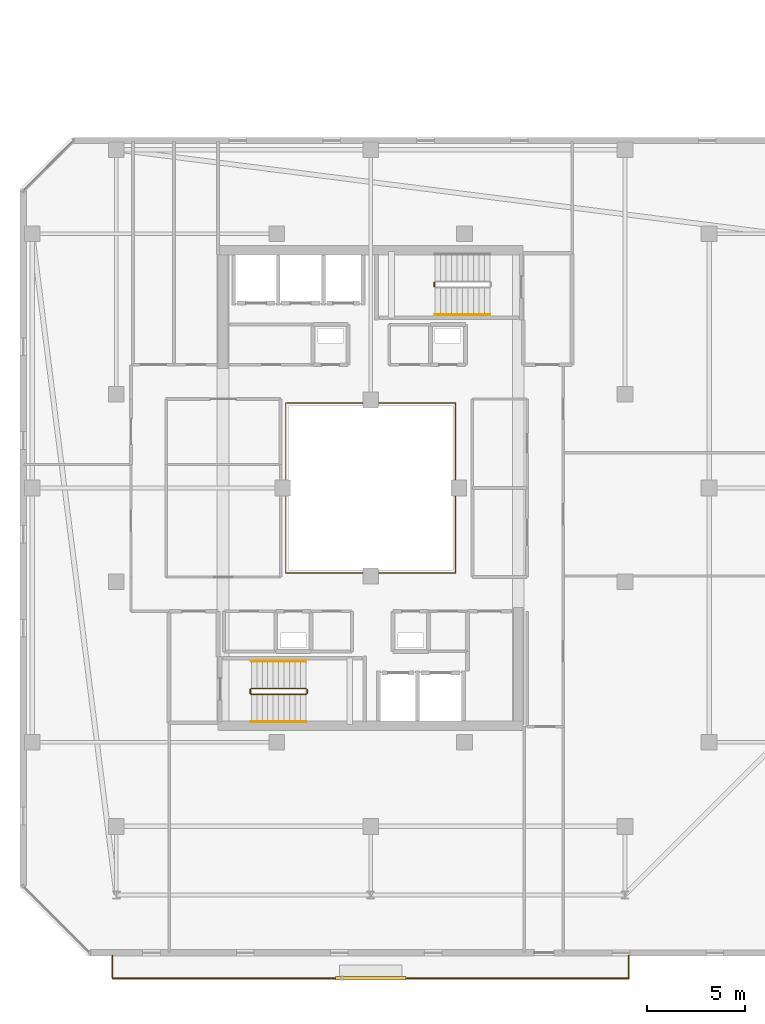
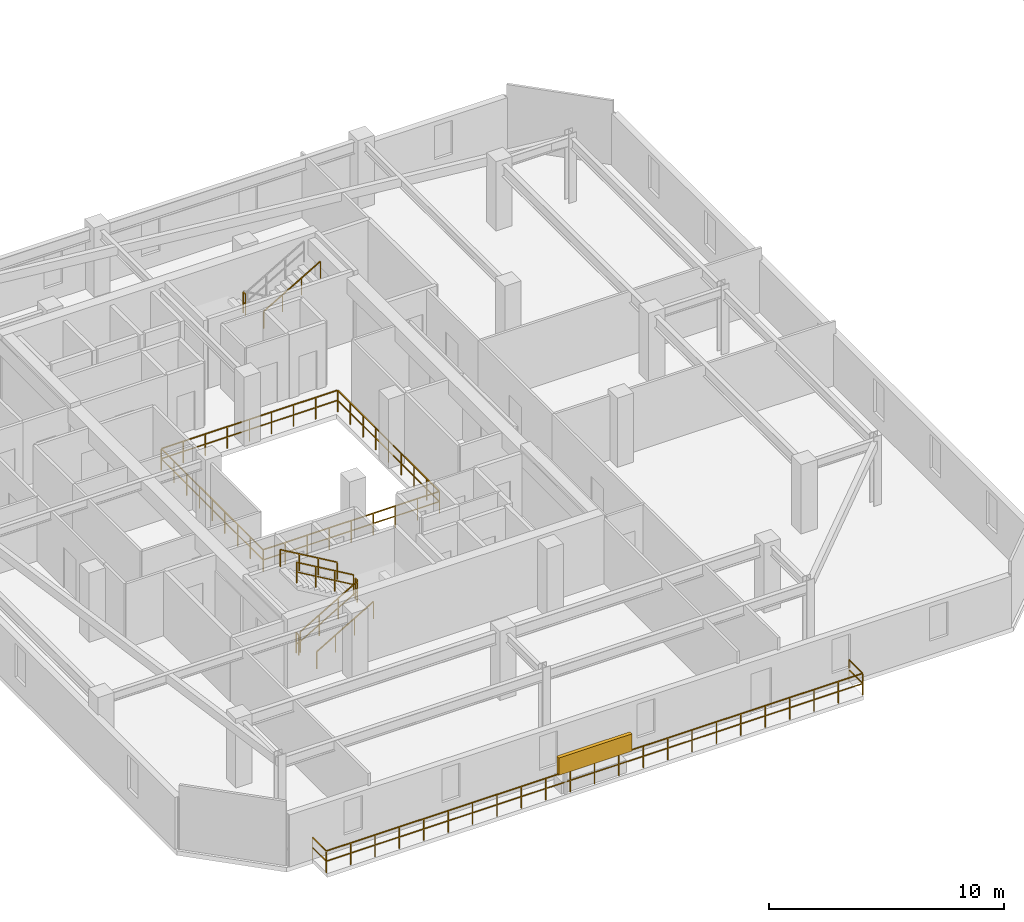
# One storey, part 32 of 35: 10 railings, 1 shading device.
"""IFC4 building model written with IfcOpenShell, lengths in metres."""

from ifc_helpers import new_model, si_unit, direction, frame, origin, origin_2d, place, context, subcontext, project, spatial, rectangle, extrude, material, type_object, element, save


model = new_model("IFC4")

# Units and contexts
model_context = context("Model", 3, precision=1e-05, world=origin(), true_north=direction((0.0, 1.0)))
body_context = subcontext(model_context, "Body", "Model", "MODEL_VIEW")
ifc_project = project(units=[si_unit("LENGTHUNIT", "METRE"), si_unit("AREAUNIT", "SQUARE_METRE"), si_unit("VOLUMEUNIT", "CUBIC_METRE"), si_unit("PLANEANGLEUNIT", "RADIAN"), si_unit("MASSUNIT", "GRAM", prefix="KILO")], contexts=[model_context])

# Site, building, storey
site_placement = place(None, origin())
site = spatial("IfcSite", under=ifc_project, at=site_placement, CompositionType="ELEMENT")
building_placement = place(site_placement, origin())
building = spatial("IfcBuilding", under=site, at=building_placement, Name="Thornwick Lancets Civic Towers", CompositionType="ELEMENT")
storey_placement = place(building_placement, frame((0.0, 0.0, 265.5)))
storey = spatial("IfcBuildingStorey", under=building, at=storey_placement, Name="L71", CompositionType="ELEMENT", Elevation=265.5)

# Railings
ifc_material_1 = material(Name="Laminated glass and bronze steel S355", Category="steel")
railing_type_1 = type_object("IfcRailingType", Name="RAIL_ATRIUM_GUARD", PredefinedType="BALUSTRADE", material=ifc_material_1)
railing_1_placement = place(storey_placement, frame((21.159912109375, 22.659912109375, 0.0)))
element("IfcRailing", 1, at=railing_1_placement, inside=storey, type_object=railing_type_1, Name="L71 Tower A Central Atrium Guard Balustrade", PredefinedType="BALUSTRADE", context=body_context, shape_type="SweptSolid", body=[
    extrude(rectangle(XDim=0.048095703125, YDim=0.048095703125, at=origin_2d()), frame((0.0, 0.0, 1.1259765625), z_axis=(1.0, 0.0, 0.0), x_axis=(0.0, 1.0, 0.0)), (0.0, 0.0, 1.0), 8.64892578125),
    extrude(rectangle(XDim=0.0419921875, YDim=0.0419921875, at=origin_2d()), frame((0.03759765625, 0.0, 0.597900390625), z_axis=(1.0, 0.0, 0.0), x_axis=(0.0, 1.0, 0.0)), (0.0, 0.0, 1.0), 1.010009765625),
    extrude(rectangle(XDim=0.0419921875, YDim=0.0419921875, at=origin_2d()), frame((1.12255859375, 0.0, 0.597900390625), z_axis=(1.0, 0.0, 0.0), x_axis=(0.0, 1.0, 0.0)), (0.0, 0.0, 1.0), 1.010009765625),
    extrude(rectangle(XDim=0.0419921875, YDim=0.0419921875, at=origin_2d()), frame((2.20751953125, 0.0, 0.597900390625), z_axis=(1.0, 0.0, 0.0), x_axis=(0.0, 1.0, 0.0)), (0.0, 0.0, 1.0), 1.010009765625),
    extrude(rectangle(XDim=0.0419921875, YDim=0.0419921875, at=origin_2d()), frame((3.29248046875, 0.0, 0.597900390625), z_axis=(1.0, 0.0, 0.0), x_axis=(0.0, 1.0, 0.0)), (0.0, 0.0, 1.0), 1.010009765625),
    extrude(rectangle(XDim=0.0419921875, YDim=0.0419921875, at=origin_2d()), frame((4.377685546875, 0.0, 0.597900390625), z_axis=(1.0, 0.0, 0.0), x_axis=(0.0, 1.0, 0.0)), (0.0, 0.0, 1.0), 1.010009765625),
    extrude(rectangle(XDim=0.0419921875, YDim=0.0419921875, at=origin_2d()), frame((5.462646484375, 0.0, 0.597900390625), z_axis=(1.0, 0.0, 0.0), x_axis=(0.0, 1.0, 0.0)), (0.0, 0.0, 1.0), 1.010009765625),
    extrude(rectangle(XDim=0.0419921875, YDim=0.0419921875, at=origin_2d()), frame((6.547607421875, 0.0, 0.597900390625), z_axis=(1.0, 0.0, 0.0), x_axis=(0.0, 1.0, 0.0)), (0.0, 0.0, 1.0), 1.010009765625),
    extrude(rectangle(XDim=0.0419921875, YDim=0.0419921875, at=origin_2d()), frame((7.632568359375, 0.0, 0.597900390625), z_axis=(1.0, 0.0, 0.0), x_axis=(0.0, 1.0, 0.0)), (0.0, 0.0, 1.0), 1.010009765625),
    extrude(rectangle(XDim=0.048095703125, YDim=0.048095703125, at=origin_2d()), frame((8.68017578125, 0.03125, 1.1259765625), z_axis=(0.0, 1.0, 0.0), x_axis=(-1.0, 0.0, 0.0)), (0.0, 0.0, 1.0), 8.61767578125),
    extrude(rectangle(XDim=0.0419921875, YDim=0.0419921875, at=origin_2d()), frame((8.68017578125, 0.03759765625, 0.597900390625), z_axis=(0.0, 1.0, 0.0), x_axis=(-1.0, 0.0, 0.0)), (0.0, 0.0, 1.0), 1.010009765625),
    extrude(rectangle(XDim=0.0419921875, YDim=0.0419921875, at=origin_2d()), frame((8.68017578125, 1.12255859375, 0.597900390625), z_axis=(0.0, 1.0, 0.0), x_axis=(-1.0, 0.0, 0.0)), (0.0, 0.0, 1.0), 1.010009765625),
    extrude(rectangle(XDim=0.0419921875, YDim=0.0419921875, at=origin_2d()), frame((8.68017578125, 2.20751953125, 0.597900390625), z_axis=(0.0, 1.0, 0.0), x_axis=(-1.0, 0.0, 0.0)), (0.0, 0.0, 1.0), 1.010009765625),
    extrude(rectangle(XDim=0.0419921875, YDim=0.0419921875, at=origin_2d()), frame((8.68017578125, 3.29248046875, 0.597900390625), z_axis=(0.0, 1.0, 0.0), x_axis=(-1.0, 0.0, 0.0)), (0.0, 0.0, 1.0), 1.010009765625),
    extrude(rectangle(XDim=0.0419921875, YDim=0.0419921875, at=origin_2d()), frame((8.68017578125, 4.377685546875, 0.597900390625), z_axis=(0.0, 1.0, 0.0), x_axis=(-1.0, 0.0, 0.0)), (0.0, 0.0, 1.0), 1.010009765625),
    extrude(rectangle(XDim=0.0419921875, YDim=0.0419921875, at=origin_2d()), frame((8.68017578125, 5.462646484375, 0.597900390625), z_axis=(0.0, 1.0, 0.0), x_axis=(-1.0, 0.0, 0.0)), (0.0, 0.0, 1.0), 1.010009765625),
    extrude(rectangle(XDim=0.0419921875, YDim=0.0419921875, at=origin_2d()), frame((8.68017578125, 6.547607421875, 0.597900390625), z_axis=(0.0, 1.0, 0.0), x_axis=(-1.0, 0.0, 0.0)), (0.0, 0.0, 1.0), 1.010009765625),
    extrude(rectangle(XDim=0.0419921875, YDim=0.0419921875, at=origin_2d()), frame((8.68017578125, 7.632568359375, 0.597900390625), z_axis=(0.0, 1.0, 0.0), x_axis=(-1.0, 0.0, 0.0)), (0.0, 0.0, 1.0), 1.010009765625),
    extrude(rectangle(XDim=0.048095703125, YDim=0.048095703125, at=origin_2d()), frame((8.64892578125, 8.68017578125, 1.1259765625), z_axis=(-1.0, 0.0, 0.0), x_axis=(0.0, -1.0, 0.0)), (0.0, 0.0, 1.0), 8.61767578125),
    extrude(rectangle(XDim=0.0419921875, YDim=0.0419921875, at=origin_2d()), frame((8.642578125, 8.68017578125, 0.597900390625), z_axis=(-1.0, 0.0, 0.0), x_axis=(0.0, -1.0, 0.0)), (0.0, 0.0, 1.0), 1.010009765625),
    extrude(rectangle(XDim=0.0419921875, YDim=0.0419921875, at=origin_2d()), frame((7.5576171875, 8.68017578125, 0.597900390625), z_axis=(-1.0, 0.0, 0.0), x_axis=(0.0, -1.0, 0.0)), (0.0, 0.0, 1.0), 1.010009765625),
    extrude(rectangle(XDim=0.0419921875, YDim=0.0419921875, at=origin_2d()), frame((6.47265625, 8.68017578125, 0.597900390625), z_axis=(-1.0, 0.0, 0.0), x_axis=(0.0, -1.0, 0.0)), (0.0, 0.0, 1.0), 1.010009765625),
    extrude(rectangle(XDim=0.0419921875, YDim=0.0419921875, at=origin_2d()), frame((5.3876953125, 8.68017578125, 0.597900390625), z_axis=(-1.0, 0.0, 0.0), x_axis=(0.0, -1.0, 0.0)), (0.0, 0.0, 1.0), 1.010009765625),
    extrude(rectangle(XDim=0.0419921875, YDim=0.0419921875, at=origin_2d()), frame((4.302490234375, 8.68017578125, 0.597900390625), z_axis=(-1.0, 0.0, 0.0), x_axis=(0.0, -1.0, 0.0)), (0.0, 0.0, 1.0), 1.010009765625),
    extrude(rectangle(XDim=0.0419921875, YDim=0.0419921875, at=origin_2d()), frame((3.217529296875, 8.68017578125, 0.597900390625), z_axis=(-1.0, 0.0, 0.0), x_axis=(0.0, -1.0, 0.0)), (0.0, 0.0, 1.0), 1.010009765625),
    extrude(rectangle(XDim=0.0419921875, YDim=0.0419921875, at=origin_2d()), frame((2.132568359375, 8.68017578125, 0.597900390625), z_axis=(-1.0, 0.0, 0.0), x_axis=(0.0, -1.0, 0.0)), (0.0, 0.0, 1.0), 1.010009765625),
    extrude(rectangle(XDim=0.0419921875, YDim=0.0419921875, at=origin_2d()), frame((1.047607421875, 8.68017578125, 0.597900390625), z_axis=(-1.0, 0.0, 0.0), x_axis=(0.0, -1.0, 0.0)), (0.0, 0.0, 1.0), 1.010009765625),
    extrude(rectangle(XDim=0.048095703125, YDim=0.048095703125, at=origin_2d()), frame((0.0, 8.64892578125, 1.1259765625), z_axis=(0.0, -1.0, 0.0), x_axis=(1.0, 0.0, 0.0)), (0.0, 0.0, 1.0), 8.64892578125),
    extrude(rectangle(XDim=0.0419921875, YDim=0.0419921875, at=origin_2d()), frame((0.0, 8.642578125, 0.597900390625), z_axis=(0.0, -1.0, 0.0), x_axis=(1.0, 0.0, 0.0)), (0.0, 0.0, 1.0), 1.010009765625),
    extrude(rectangle(XDim=0.0419921875, YDim=0.0419921875, at=origin_2d()), frame((0.0, 7.5576171875, 0.597900390625), z_axis=(0.0, -1.0, 0.0), x_axis=(1.0, 0.0, 0.0)), (0.0, 0.0, 1.0), 1.010009765625),
    extrude(rectangle(XDim=0.0419921875, YDim=0.0419921875, at=origin_2d()), frame((0.0, 6.47265625, 0.597900390625), z_axis=(0.0, -1.0, 0.0), x_axis=(1.0, 0.0, 0.0)), (0.0, 0.0, 1.0), 1.010009765625),
    extrude(rectangle(XDim=0.0419921875, YDim=0.0419921875, at=origin_2d()), frame((0.0, 5.3876953125, 0.597900390625), z_axis=(0.0, -1.0, 0.0), x_axis=(1.0, 0.0, 0.0)), (0.0, 0.0, 1.0), 1.010009765625),
    extrude(rectangle(XDim=0.0419921875, YDim=0.0419921875, at=origin_2d()), frame((0.0, 4.302490234375, 0.597900390625), z_axis=(0.0, -1.0, 0.0), x_axis=(1.0, 0.0, 0.0)), (0.0, 0.0, 1.0), 1.010009765625),
    extrude(rectangle(XDim=0.0419921875, YDim=0.0419921875, at=origin_2d()), frame((0.0, 3.217529296875, 0.597900390625), z_axis=(0.0, -1.0, 0.0), x_axis=(1.0, 0.0, 0.0)), (0.0, 0.0, 1.0), 1.010009765625),
    extrude(rectangle(XDim=0.0419921875, YDim=0.0419921875, at=origin_2d()), frame((0.0, 2.132568359375, 0.597900390625), z_axis=(0.0, -1.0, 0.0), x_axis=(1.0, 0.0, 0.0)), (0.0, 0.0, 1.0), 1.010009765625),
    extrude(rectangle(XDim=0.0419921875, YDim=0.0419921875, at=origin_2d()), frame((0.0, 1.047607421875, 0.597900390625), z_axis=(0.0, -1.0, 0.0), x_axis=(1.0, 0.0, 0.0)), (0.0, 0.0, 1.0), 1.010009765625),
    extrude(rectangle(XDim=0.0419921875, YDim=0.0419921875, at=origin_2d()), origin(), (0.0, 0.0, 1.0), 1.095703125),
    extrude(rectangle(XDim=0.0419921875, YDim=0.0419921875, at=origin_2d()), frame((1.0849609375, 0.0, 0.0)), (0.0, 0.0, 1.0), 1.095703125),
    extrude(rectangle(XDim=0.0419921875, YDim=0.0419921875, at=origin_2d()), frame((2.169921875, 0.0, 0.0)), (0.0, 0.0, 1.0), 1.095703125),
    extrude(rectangle(XDim=0.0419921875, YDim=0.0419921875, at=origin_2d()), frame((3.255126953125, 0.0, 0.0)), (0.0, 0.0, 1.0), 1.095703125),
    extrude(rectangle(XDim=0.0419921875, YDim=0.0419921875, at=origin_2d()), frame((4.340087890625, 0.0, 0.0)), (0.0, 0.0, 1.0), 1.095703125),
    extrude(rectangle(XDim=0.0419921875, YDim=0.0419921875, at=origin_2d()), frame((5.425048828125, 0.0, 0.0)), (0.0, 0.0, 1.0), 1.095703125),
    extrude(rectangle(XDim=0.0419921875, YDim=0.0419921875, at=origin_2d()), frame((6.51025390625, 0.0, 0.0)), (0.0, 0.0, 1.0), 1.095703125),
    extrude(rectangle(XDim=0.0419921875, YDim=0.0419921875, at=origin_2d()), frame((7.59521484375, 0.0, 0.0)), (0.0, 0.0, 1.0), 1.095703125),
    extrude(rectangle(XDim=0.0419921875, YDim=0.0419921875, at=origin_2d()), frame((8.68017578125, 0.0, 0.0)), (0.0, 0.0, 1.0), 1.095703125),
    extrude(rectangle(XDim=0.0419921875, YDim=0.0419921875, at=origin_2d()), frame((8.68017578125, 1.0849609375, 0.0)), (0.0, 0.0, 1.0), 1.095703125),
    extrude(rectangle(XDim=0.0419921875, YDim=0.0419921875, at=origin_2d()), frame((8.68017578125, 2.169921875, 0.0)), (0.0, 0.0, 1.0), 1.095703125),
    extrude(rectangle(XDim=0.0419921875, YDim=0.0419921875, at=origin_2d()), frame((8.68017578125, 3.255126953125, 0.0)), (0.0, 0.0, 1.0), 1.095703125),
    extrude(rectangle(XDim=0.0419921875, YDim=0.0419921875, at=origin_2d()), frame((8.68017578125, 4.340087890625, 0.0)), (0.0, 0.0, 1.0), 1.095703125),
    extrude(rectangle(XDim=0.0419921875, YDim=0.0419921875, at=origin_2d()), frame((8.68017578125, 5.425048828125, 0.0)), (0.0, 0.0, 1.0), 1.095703125),
    extrude(rectangle(XDim=0.0419921875, YDim=0.0419921875, at=origin_2d()), frame((8.68017578125, 6.51025390625, 0.0)), (0.0, 0.0, 1.0), 1.095703125),
    extrude(rectangle(XDim=0.0419921875, YDim=0.0419921875, at=origin_2d()), frame((8.68017578125, 7.59521484375, 0.0)), (0.0, 0.0, 1.0), 1.095703125),
    extrude(rectangle(XDim=0.0419921875, YDim=0.0419921875, at=origin_2d()), frame((8.68017578125, 8.68017578125, 0.0)), (0.0, 0.0, 1.0), 1.095703125),
    extrude(rectangle(XDim=0.0419921875, YDim=0.0419921875, at=origin_2d()), frame((7.59521484375, 8.68017578125, 0.0)), (0.0, 0.0, 1.0), 1.095703125),
    extrude(rectangle(XDim=0.0419921875, YDim=0.0419921875, at=origin_2d()), frame((6.51025390625, 8.68017578125, 0.0)), (0.0, 0.0, 1.0), 1.095703125),
    extrude(rectangle(XDim=0.0419921875, YDim=0.0419921875, at=origin_2d()), frame((5.425048828125, 8.68017578125, 0.0)), (0.0, 0.0, 1.0), 1.095703125),
    extrude(rectangle(XDim=0.0419921875, YDim=0.0419921875, at=origin_2d()), frame((4.340087890625, 8.68017578125, 0.0)), (0.0, 0.0, 1.0), 1.095703125),
    extrude(rectangle(XDim=0.0419921875, YDim=0.0419921875, at=origin_2d()), frame((3.255126953125, 8.68017578125, 0.0)), (0.0, 0.0, 1.0), 1.095703125),
    extrude(rectangle(XDim=0.0419921875, YDim=0.0419921875, at=origin_2d()), frame((2.169921875, 8.68017578125, 0.0)), (0.0, 0.0, 1.0), 1.095703125),
    extrude(rectangle(XDim=0.0419921875, YDim=0.0419921875, at=origin_2d()), frame((1.0849609375, 8.68017578125, 0.0)), (0.0, 0.0, 1.0), 1.095703125),
    extrude(rectangle(XDim=0.0419921875, YDim=0.0419921875, at=origin_2d()), frame((0.0, 8.68017578125, 0.0)), (0.0, 0.0, 1.0), 1.095703125),
    extrude(rectangle(XDim=0.0419921875, YDim=0.0419921875, at=origin_2d()), frame((0.0, 7.59521484375, 0.0)), (0.0, 0.0, 1.0), 1.095703125),
    extrude(rectangle(XDim=0.0419921875, YDim=0.0419921875, at=origin_2d()), frame((0.0, 6.51025390625, 0.0)), (0.0, 0.0, 1.0), 1.095703125),
    extrude(rectangle(XDim=0.0419921875, YDim=0.0419921875, at=origin_2d()), frame((0.0, 5.425048828125, 0.0)), (0.0, 0.0, 1.0), 1.095703125),
    extrude(rectangle(XDim=0.0419921875, YDim=0.0419921875, at=origin_2d()), frame((0.0, 4.340087890625, 0.0)), (0.0, 0.0, 1.0), 1.095703125),
    extrude(rectangle(XDim=0.0419921875, YDim=0.0419921875, at=origin_2d()), frame((0.0, 3.255126953125, 0.0)), (0.0, 0.0, 1.0), 1.095703125),
    extrude(rectangle(XDim=0.0419921875, YDim=0.0419921875, at=origin_2d()), frame((0.0, 2.169921875, 0.0)), (0.0, 0.0, 1.0), 1.095703125),
    extrude(rectangle(XDim=0.0419921875, YDim=0.0419921875, at=origin_2d()), frame((0.0, 1.0849609375, 0.0)), (0.0, 0.0, 1.0), 1.095703125),
])
ifc_material_2 = material(Name="Brushed stainless steel S355", Category="steel")
railing_type_2 = type_object("IfcRailingType", Name="RAIL_HANDRAIL", PredefinedType="HANDRAIL", material=ifc_material_2)
railing_2_placement = place(storey_placement, frame((19.39990234375, 15.050048828125, 0.16357421875)))
element("IfcRailing", 2, at=railing_2_placement, inside=storey, type_object=railing_type_2, Name="L71 ST-A1 stair handrail 1", PredefinedType="HANDRAIL", context=body_context, shape_type="SweptSolid", body=[
    extrude(rectangle(XDim=0.048095703125, YDim=0.048095703125, at=origin_2d()), frame((0.0, 0.0, 0.8857421875), z_axis=(0.863360870873, 0.0, 0.504586966384), x_axis=(0.0, 1.0, 0.0)), (0.0, 0.0, 1.0), 3.2431640625),
    extrude(rectangle(XDim=0.0419921875, YDim=0.0419921875, at=origin_2d()), origin(), (0.0, 0.0, 1.0), 0.855712890625),
    extrude(rectangle(XDim=0.0419921875, YDim=0.0419921875, at=origin_2d()), frame((0.933349609375, 0.0, 0.54541015625)), (0.0, 0.0, 1.0), 0.855712890625),
    extrude(rectangle(XDim=0.0419921875, YDim=0.0419921875, at=origin_2d()), frame((1.86669921875, 0.0, 1.091064453125)), (0.0, 0.0, 1.0), 0.855712890625),
    extrude(rectangle(XDim=0.0419921875, YDim=0.0419921875, at=origin_2d()), frame((2.800048828125, 0.0, 1.636474609375)), (0.0, 0.0, 1.0), 0.855712890625),
])
railing_3_placement = place(storey_placement, frame((22.199951171875, 18.14990234375, 1.963623046875)))
element("IfcRailing", 3, at=railing_3_placement, inside=storey, type_object=railing_type_2, Name="L71 ST-A1 stair handrail 2", PredefinedType="HANDRAIL", context=body_context, shape_type="SweptSolid", body=[
    extrude(rectangle(XDim=0.048095703125, YDim=0.048095703125, at=origin_2d()), frame((0.0, 0.0, 0.8857421875), z_axis=(-0.863360870873, 0.0, 0.504586966384), x_axis=(0.0, -1.0, 0.0)), (0.0, 0.0, 1.0), 3.2431640625),
    extrude(rectangle(XDim=0.0419921875, YDim=0.0419921875, at=origin_2d()), origin(), (0.0, 0.0, 1.0), 0.855712890625),
    extrude(rectangle(XDim=0.0419921875, YDim=0.0419921875, at=origin_2d()), frame((-0.933349609375, 0.0, 0.54541015625)), (0.0, 0.0, 1.0), 0.855712890625),
    extrude(rectangle(XDim=0.0419921875, YDim=0.0419921875, at=origin_2d()), frame((-1.86669921875, 0.0, 1.091064453125)), (0.0, 0.0, 1.0), 0.855712890625),
    extrude(rectangle(XDim=0.0419921875, YDim=0.0419921875, at=origin_2d()), frame((-2.800048828125, 0.0, 1.636474609375)), (0.0, 0.0, 1.0), 0.855712890625),
])
railing_4_placement = place(storey_placement, frame((28.800048828125, 35.85009765625, 1.963623046875)))
element("IfcRailing", 4, at=railing_4_placement, inside=storey, type_object=railing_type_2, Name="L71 ST-A2 stair handrail 2", PredefinedType="HANDRAIL", context=body_context, shape_type="SweptSolid", body=[
    extrude(rectangle(XDim=0.048095703125, YDim=0.048095703125, at=origin_2d()), frame((0.0, 0.0, 0.8857421875), z_axis=(0.863360870873, 0.0, 0.504586966384), x_axis=(0.0, 1.0, 0.0)), (0.0, 0.0, 1.0), 3.2431640625),
    extrude(rectangle(XDim=0.0419921875, YDim=0.0419921875, at=origin_2d()), origin(), (0.0, 0.0, 1.0), 0.855712890625),
    extrude(rectangle(XDim=0.0419921875, YDim=0.0419921875, at=origin_2d()), frame((0.933349609375, 0.0, 0.54541015625)), (0.0, 0.0, 1.0), 0.855712890625),
    extrude(rectangle(XDim=0.0419921875, YDim=0.0419921875, at=origin_2d()), frame((1.86669921875, 0.0, 1.091064453125)), (0.0, 0.0, 1.0), 0.855712890625),
    extrude(rectangle(XDim=0.0419921875, YDim=0.0419921875, at=origin_2d()), frame((2.800048828125, 0.0, 1.636474609375)), (0.0, 0.0, 1.0), 0.855712890625),
])
ifc_material_3 = material(Name="Steel S355JR", Category="steel")
railing_type_3 = type_object("IfcRailingType", Name="RAIL_STAIR_GUARD", PredefinedType="GUARDRAIL", material=ifc_material_3)
railing_5_placement = place(storey_placement, frame((19.39990234375, 16.449951171875, 0.16357421875)))
element("IfcRailing", 5, at=railing_5_placement, inside=storey, type_object=railing_type_3, Name="L71 ST-A1 stair guard 1", PredefinedType="GUARDRAIL", context=body_context, shape_type="SweptSolid", body=[
    extrude(rectangle(XDim=0.048095703125, YDim=0.048095703125, at=origin_2d()), frame((0.0, 0.0, 1.076171875), z_axis=(0.863360870873, 0.0, 0.504586966384), x_axis=(0.0, 1.0, 0.0)), (0.0, 0.0, 1.0), 3.2431640625),
    extrude(rectangle(XDim=0.0419921875, YDim=0.0419921875, at=origin_2d()), frame((0.032470703125, 0.0, 0.591064453125), z_axis=(0.863360870873, 0.0, 0.504586966384), x_axis=(0.0, 1.0, 0.0)), (0.0, 0.0, 1.0), 1.006103515625),
    extrude(rectangle(XDim=0.0419921875, YDim=0.0419921875, at=origin_2d()), frame((0.9658203125, 0.0, 1.136474609375), z_axis=(0.863360870873, 0.0, 0.504586966384), x_axis=(0.0, 1.0, 0.0)), (0.0, 0.0, 1.0), 1.006103515625),
    extrude(rectangle(XDim=0.0419921875, YDim=0.0419921875, at=origin_2d()), frame((1.899169921875, 0.0, 1.681884765625), z_axis=(0.863360870873, 0.0, 0.504586966384), x_axis=(0.0, 1.0, 0.0)), (0.0, 0.0, 1.0), 1.006103515625),
    extrude(rectangle(XDim=0.0419921875, YDim=0.0419921875, at=origin_2d()), origin(), (0.0, 0.0, 1.0), 1.0458984375),
    extrude(rectangle(XDim=0.0419921875, YDim=0.0419921875, at=origin_2d()), frame((0.933349609375, 0.0, 0.54541015625)), (0.0, 0.0, 1.0), 1.0458984375),
    extrude(rectangle(XDim=0.0419921875, YDim=0.0419921875, at=origin_2d()), frame((1.86669921875, 0.0, 1.091064453125)), (0.0, 0.0, 1.0), 1.0458984375),
    extrude(rectangle(XDim=0.0419921875, YDim=0.0419921875, at=origin_2d()), frame((2.800048828125, 0.0, 1.636474609375)), (0.0, 0.0, 1.0), 1.0458984375),
])
railing_6_placement = place(storey_placement, frame((22.25, 16.5, 1.800048828125)))
element("IfcRailing", 6, at=railing_6_placement, inside=storey, type_object=railing_type_3, Name="L71 ST-A1 stair guard 2", PredefinedType="GUARDRAIL", context=body_context, shape_type="SweptSolid", body=[
    extrude(rectangle(XDim=0.048095703125, YDim=0.048095703125, at=origin_2d()), frame((0.0, 0.0, 1.076171875), z_axis=(0.0, 1.0, 0.0), x_axis=(-1.0, 0.0, 0.0)), (0.0, 0.0, 1.0), 0.199951171875),
    extrude(rectangle(XDim=0.0419921875, YDim=0.0419921875, at=origin_2d()), frame((0.0, 0.03759765625, 0.572021484375), z_axis=(0.0, 1.0, 0.0), x_axis=(-1.0, 0.0, 0.0)), (0.0, 0.0, 1.0), 0.125),
    extrude(rectangle(XDim=0.0419921875, YDim=0.0419921875, at=origin_2d()), origin(), (0.0, 0.0, 1.0), 1.0458984375),
    extrude(rectangle(XDim=0.0419921875, YDim=0.0419921875, at=origin_2d()), frame((0.0, 0.199951171875, 0.0)), (0.0, 0.0, 1.0), 1.0458984375),
])
railing_7_placement = place(storey_placement, frame((22.199951171875, 16.75, 1.963623046875)))
element("IfcRailing", 7, at=railing_7_placement, inside=storey, type_object=railing_type_3, Name="L71 ST-A1 stair guard 3", PredefinedType="GUARDRAIL", context=body_context, shape_type="SweptSolid", body=[
    extrude(rectangle(XDim=0.048095703125, YDim=0.048095703125, at=origin_2d()), frame((0.0, 0.0, 1.076171875), z_axis=(-0.863360870873, 0.0, 0.504586966384), x_axis=(0.0, -1.0, 0.0)), (0.0, 0.0, 1.0), 3.2431640625),
    extrude(rectangle(XDim=0.0419921875, YDim=0.0419921875, at=origin_2d()), frame((-0.032470703125, 0.0, 0.591064453125), z_axis=(-0.863360870873, 0.0, 0.504586966384), x_axis=(0.0, -1.0, 0.0)), (0.0, 0.0, 1.0), 1.006103515625),
    extrude(rectangle(XDim=0.0419921875, YDim=0.0419921875, at=origin_2d()), frame((-0.9658203125, 0.0, 1.136474609375), z_axis=(-0.863360870873, 0.0, 0.504586966384), x_axis=(0.0, -1.0, 0.0)), (0.0, 0.0, 1.0), 1.006103515625),
    extrude(rectangle(XDim=0.0419921875, YDim=0.0419921875, at=origin_2d()), frame((-1.899169921875, 0.0, 1.681884765625), z_axis=(-0.863360870873, 0.0, 0.504586966384), x_axis=(0.0, -1.0, 0.0)), (0.0, 0.0, 1.0), 1.006103515625),
    extrude(rectangle(XDim=0.0419921875, YDim=0.0419921875, at=origin_2d()), origin(), (0.0, 0.0, 1.0), 1.0458984375),
    extrude(rectangle(XDim=0.0419921875, YDim=0.0419921875, at=origin_2d()), frame((-0.933349609375, 0.0, 0.54541015625)), (0.0, 0.0, 1.0), 1.0458984375),
    extrude(rectangle(XDim=0.0419921875, YDim=0.0419921875, at=origin_2d()), frame((-1.86669921875, 0.0, 1.091064453125)), (0.0, 0.0, 1.0), 1.0458984375),
    extrude(rectangle(XDim=0.0419921875, YDim=0.0419921875, at=origin_2d()), frame((-2.800048828125, 0.0, 1.636474609375)), (0.0, 0.0, 1.0), 1.0458984375),
])
railing_8_placement = place(storey_placement, frame((19.35009765625, 16.5, 0.0)))
element("IfcRailing", 8, at=railing_8_placement, inside=storey, type_object=railing_type_3, Name="L71 ST-A1 stair guard 4", PredefinedType="GUARDRAIL", context=body_context, shape_type="SweptSolid", body=[
    extrude(rectangle(XDim=0.048095703125, YDim=0.048095703125, at=origin_2d()), frame((0.0, 0.0, 1.076171875), z_axis=(0.0, 1.0, 0.0), x_axis=(-1.0, 0.0, 0.0)), (0.0, 0.0, 1.0), 0.199951171875),
    extrude(rectangle(XDim=0.0419921875, YDim=0.0419921875, at=origin_2d()), frame((0.0, 0.03759765625, 0.572021484375), z_axis=(0.0, 1.0, 0.0), x_axis=(-1.0, 0.0, 0.0)), (0.0, 0.0, 1.0), 0.125),
    extrude(rectangle(XDim=0.0419921875, YDim=0.0419921875, at=origin_2d()), origin(), (0.0, 0.0, 1.0), 1.0458984375),
    extrude(rectangle(XDim=0.0419921875, YDim=0.0419921875, at=origin_2d()), frame((0.0, 0.199951171875, 0.0)), (0.0, 0.0, 1.0), 1.0458984375),
])
railing_9_placement = place(storey_placement, frame((28.75, 37.5, 1.800048828125)))
element("IfcRailing", 9, at=railing_9_placement, inside=storey, type_object=railing_type_3, Name="L71 ST-A2 stair guard 2", PredefinedType="GUARDRAIL", context=body_context, shape_type="SweptSolid", body=[
    extrude(rectangle(XDim=0.048095703125, YDim=0.048095703125, at=origin_2d()), frame((0.0, 0.0, 1.076171875), z_axis=(0.0, -1.0, 0.0), x_axis=(1.0, 0.0, 0.0)), (0.0, 0.0, 1.0), 0.199951171875),
    extrude(rectangle(XDim=0.0419921875, YDim=0.0419921875, at=origin_2d()), frame((0.0, -0.03759765625, 0.572021484375), z_axis=(0.0, -1.0, 0.0), x_axis=(1.0, 0.0, 0.0)), (0.0, 0.0, 1.0), 0.125),
    extrude(rectangle(XDim=0.0419921875, YDim=0.0419921875, at=origin_2d()), origin(), (0.0, 0.0, 1.0), 1.0458984375),
    extrude(rectangle(XDim=0.0419921875, YDim=0.0419921875, at=origin_2d()), frame((0.0, -0.199951171875, 0.0)), (0.0, 0.0, 1.0), 1.0458984375),
])
ifc_material_4 = material(Name="Terracotta-capped laminated glass balustrade S355", Category="masonry")
railing_type_4 = type_object("IfcRailingType", Name="RAIL_TERR_GUARD", PredefinedType="GUARDRAIL", material=ifc_material_4)
railing_10_placement = place(storey_placement, frame((12.300048828125, 3.10009765625, 0.0)))
element("IfcRailing", 10, at=railing_10_placement, inside=storey, type_object=railing_type_4, Name="L71 Tower A Balcony Guard S", PredefinedType="GUARDRAIL", context=body_context, shape_type="SweptSolid", body=[
    extrude(rectangle(XDim=0.048095703125, YDim=0.048095703125, at=origin_2d()), frame((0.0, 0.0, 1.1259765625), z_axis=(0.0, -1.0, 0.0), x_axis=(1.0, 0.0, 0.0)), (0.0, 0.0, 1.0), 1.138916015625),
    extrude(rectangle(XDim=0.0419921875, YDim=0.0419921875, at=origin_2d()), frame((0.0, -0.03759765625, 0.597900390625), z_axis=(0.0, -1.0, 0.0), x_axis=(1.0, 0.0, 0.0)), (0.0, 0.0, 1.0), 1.09521484375),
    extrude(rectangle(XDim=0.048095703125, YDim=0.048095703125, at=origin_2d()), frame((0.03125, -1.170166015625, 1.1259765625), z_axis=(1.0, 0.0, 0.0), x_axis=(0.0, 1.0, 0.0)), (0.0, 0.0, 1.0), 26.33740234375),
    extrude(rectangle(XDim=0.0419921875, YDim=0.0419921875, at=origin_2d()), frame((0.03759765625, -1.170166015625, 0.597900390625), z_axis=(1.0, 0.0, 0.0), x_axis=(0.0, 1.0, 0.0)), (0.0, 0.0, 1.0), 1.125),
    extrude(rectangle(XDim=0.0419921875, YDim=0.0419921875, at=origin_2d()), frame((1.237548828125, -1.170166015625, 0.597900390625), z_axis=(1.0, 0.0, 0.0), x_axis=(0.0, 1.0, 0.0)), (0.0, 0.0, 1.0), 1.125),
    extrude(rectangle(XDim=0.0419921875, YDim=0.0419921875, at=origin_2d()), frame((2.4375, -1.170166015625, 0.597900390625), z_axis=(1.0, 0.0, 0.0), x_axis=(0.0, 1.0, 0.0)), (0.0, 0.0, 1.0), 1.125),
    extrude(rectangle(XDim=0.0419921875, YDim=0.0419921875, at=origin_2d()), frame((3.637451171875, -1.170166015625, 0.597900390625), z_axis=(1.0, 0.0, 0.0), x_axis=(0.0, 1.0, 0.0)), (0.0, 0.0, 1.0), 1.125),
    extrude(rectangle(XDim=0.0419921875, YDim=0.0419921875, at=origin_2d()), frame((4.83740234375, -1.170166015625, 0.597900390625), z_axis=(1.0, 0.0, 0.0), x_axis=(0.0, 1.0, 0.0)), (0.0, 0.0, 1.0), 1.125),
    extrude(rectangle(XDim=0.0419921875, YDim=0.0419921875, at=origin_2d()), frame((6.037353515625, -1.170166015625, 0.597900390625), z_axis=(1.0, 0.0, 0.0), x_axis=(0.0, 1.0, 0.0)), (0.0, 0.0, 1.0), 1.125),
    extrude(rectangle(XDim=0.0419921875, YDim=0.0419921875, at=origin_2d()), frame((7.237548828125, -1.170166015625, 0.597900390625), z_axis=(1.0, 0.0, 0.0), x_axis=(0.0, 1.0, 0.0)), (0.0, 0.0, 1.0), 1.125),
    extrude(rectangle(XDim=0.0419921875, YDim=0.0419921875, at=origin_2d()), frame((8.4375, -1.170166015625, 0.597900390625), z_axis=(1.0, 0.0, 0.0), x_axis=(0.0, 1.0, 0.0)), (0.0, 0.0, 1.0), 1.125),
    extrude(rectangle(XDim=0.0419921875, YDim=0.0419921875, at=origin_2d()), frame((9.637451171875, -1.170166015625, 0.597900390625), z_axis=(1.0, 0.0, 0.0), x_axis=(0.0, 1.0, 0.0)), (0.0, 0.0, 1.0), 1.125),
    extrude(rectangle(XDim=0.0419921875, YDim=0.0419921875, at=origin_2d()), frame((10.83740234375, -1.170166015625, 0.597900390625), z_axis=(1.0, 0.0, 0.0), x_axis=(0.0, 1.0, 0.0)), (0.0, 0.0, 1.0), 1.125),
    extrude(rectangle(XDim=0.0419921875, YDim=0.0419921875, at=origin_2d()), frame((12.037353515625, -1.170166015625, 0.597900390625), z_axis=(1.0, 0.0, 0.0), x_axis=(0.0, 1.0, 0.0)), (0.0, 0.0, 1.0), 1.125),
    extrude(rectangle(XDim=0.0419921875, YDim=0.0419921875, at=origin_2d()), frame((13.237548828125, -1.170166015625, 0.597900390625), z_axis=(1.0, 0.0, 0.0), x_axis=(0.0, 1.0, 0.0)), (0.0, 0.0, 1.0), 1.125),
    extrude(rectangle(XDim=0.0419921875, YDim=0.0419921875, at=origin_2d()), frame((14.4375, -1.170166015625, 0.597900390625), z_axis=(1.0, 0.0, 0.0), x_axis=(0.0, 1.0, 0.0)), (0.0, 0.0, 1.0), 1.125),
    extrude(rectangle(XDim=0.0419921875, YDim=0.0419921875, at=origin_2d()), frame((15.637451171875, -1.170166015625, 0.597900390625), z_axis=(1.0, 0.0, 0.0), x_axis=(0.0, 1.0, 0.0)), (0.0, 0.0, 1.0), 1.125),
    extrude(rectangle(XDim=0.0419921875, YDim=0.0419921875, at=origin_2d()), frame((16.83740234375, -1.170166015625, 0.597900390625), z_axis=(1.0, 0.0, 0.0), x_axis=(0.0, 1.0, 0.0)), (0.0, 0.0, 1.0), 1.125),
    extrude(rectangle(XDim=0.0419921875, YDim=0.0419921875, at=origin_2d()), frame((18.037353515625, -1.170166015625, 0.597900390625), z_axis=(1.0, 0.0, 0.0), x_axis=(0.0, 1.0, 0.0)), (0.0, 0.0, 1.0), 1.125),
    extrude(rectangle(XDim=0.0419921875, YDim=0.0419921875, at=origin_2d()), frame((19.2373046875, -1.170166015625, 0.597900390625), z_axis=(1.0, 0.0, 0.0), x_axis=(0.0, 1.0, 0.0)), (0.0, 0.0, 1.0), 1.125),
    extrude(rectangle(XDim=0.0419921875, YDim=0.0419921875, at=origin_2d()), frame((20.4375, -1.170166015625, 0.597900390625), z_axis=(1.0, 0.0, 0.0), x_axis=(0.0, 1.0, 0.0)), (0.0, 0.0, 1.0), 1.125),
    extrude(rectangle(XDim=0.0419921875, YDim=0.0419921875, at=origin_2d()), frame((21.637451171875, -1.170166015625, 0.597900390625), z_axis=(1.0, 0.0, 0.0), x_axis=(0.0, 1.0, 0.0)), (0.0, 0.0, 1.0), 1.125),
    extrude(rectangle(XDim=0.0419921875, YDim=0.0419921875, at=origin_2d()), frame((22.83740234375, -1.170166015625, 0.597900390625), z_axis=(1.0, 0.0, 0.0), x_axis=(0.0, 1.0, 0.0)), (0.0, 0.0, 1.0), 1.125),
    extrude(rectangle(XDim=0.0419921875, YDim=0.0419921875, at=origin_2d()), frame((24.037353515625, -1.170166015625, 0.597900390625), z_axis=(1.0, 0.0, 0.0), x_axis=(0.0, 1.0, 0.0)), (0.0, 0.0, 1.0), 1.125),
    extrude(rectangle(XDim=0.0419921875, YDim=0.0419921875, at=origin_2d()), frame((25.2373046875, -1.170166015625, 0.597900390625), z_axis=(1.0, 0.0, 0.0), x_axis=(0.0, 1.0, 0.0)), (0.0, 0.0, 1.0), 1.125),
    extrude(rectangle(XDim=0.048095703125, YDim=0.048095703125, at=origin_2d()), frame((26.39990234375, -1.138916015625, 1.1259765625), z_axis=(0.0, 1.0, 0.0), x_axis=(-1.0, 0.0, 0.0)), (0.0, 0.0, 1.0), 1.138916015625),
    extrude(rectangle(XDim=0.0419921875, YDim=0.0419921875, at=origin_2d()), frame((26.39990234375, -1.132568359375, 0.597900390625), z_axis=(0.0, 1.0, 0.0), x_axis=(-1.0, 0.0, 0.0)), (0.0, 0.0, 1.0), 1.09521484375),
    extrude(rectangle(XDim=0.0419921875, YDim=0.0419921875, at=origin_2d()), origin(), (0.0, 0.0, 1.0), 1.095703125),
    extrude(rectangle(XDim=0.0419921875, YDim=0.0419921875, at=origin_2d()), frame((0.0, -1.170166015625, 0.0)), (0.0, 0.0, 1.0), 1.095703125),
    extrude(rectangle(XDim=0.0419921875, YDim=0.0419921875, at=origin_2d()), frame((1.199951171875, -1.170166015625, 0.0)), (0.0, 0.0, 1.0), 1.095703125),
    extrude(rectangle(XDim=0.0419921875, YDim=0.0419921875, at=origin_2d()), frame((2.39990234375, -1.170166015625, 0.0)), (0.0, 0.0, 1.0), 1.095703125),
    extrude(rectangle(XDim=0.0419921875, YDim=0.0419921875, at=origin_2d()), frame((3.60009765625, -1.170166015625, 0.0)), (0.0, 0.0, 1.0), 1.095703125),
    extrude(rectangle(XDim=0.0419921875, YDim=0.0419921875, at=origin_2d()), frame((4.800048828125, -1.170166015625, 0.0)), (0.0, 0.0, 1.0), 1.095703125),
    extrude(rectangle(XDim=0.0419921875, YDim=0.0419921875, at=origin_2d()), frame((6.0, -1.170166015625, 0.0)), (0.0, 0.0, 1.0), 1.095703125),
    extrude(rectangle(XDim=0.0419921875, YDim=0.0419921875, at=origin_2d()), frame((7.199951171875, -1.170166015625, 0.0)), (0.0, 0.0, 1.0), 1.095703125),
    extrude(rectangle(XDim=0.0419921875, YDim=0.0419921875, at=origin_2d()), frame((8.39990234375, -1.170166015625, 0.0)), (0.0, 0.0, 1.0), 1.095703125),
    extrude(rectangle(XDim=0.0419921875, YDim=0.0419921875, at=origin_2d()), frame((9.599853515625, -1.170166015625, 0.0)), (0.0, 0.0, 1.0), 1.095703125),
    extrude(rectangle(XDim=0.0419921875, YDim=0.0419921875, at=origin_2d()), frame((10.800048828125, -1.170166015625, 0.0)), (0.0, 0.0, 1.0), 1.095703125),
    extrude(rectangle(XDim=0.0419921875, YDim=0.0419921875, at=origin_2d()), frame((12.0, -1.170166015625, 0.0)), (0.0, 0.0, 1.0), 1.095703125),
    extrude(rectangle(XDim=0.0419921875, YDim=0.0419921875, at=origin_2d()), frame((13.199951171875, -1.170166015625, 0.0)), (0.0, 0.0, 1.0), 1.095703125),
    extrude(rectangle(XDim=0.0419921875, YDim=0.0419921875, at=origin_2d()), frame((14.39990234375, -1.170166015625, 0.0)), (0.0, 0.0, 1.0), 1.095703125),
    extrude(rectangle(XDim=0.0419921875, YDim=0.0419921875, at=origin_2d()), frame((15.599853515625, -1.170166015625, 0.0)), (0.0, 0.0, 1.0), 1.095703125),
    extrude(rectangle(XDim=0.0419921875, YDim=0.0419921875, at=origin_2d()), frame((16.800048828125, -1.170166015625, 0.0)), (0.0, 0.0, 1.0), 1.095703125),
    extrude(rectangle(XDim=0.0419921875, YDim=0.0419921875, at=origin_2d()), frame((18.0, -1.170166015625, 0.0)), (0.0, 0.0, 1.0), 1.095703125),
    extrude(rectangle(XDim=0.0419921875, YDim=0.0419921875, at=origin_2d()), frame((19.199951171875, -1.170166015625, 0.0)), (0.0, 0.0, 1.0), 1.095703125),
    extrude(rectangle(XDim=0.0419921875, YDim=0.0419921875, at=origin_2d()), frame((20.39990234375, -1.170166015625, 0.0)), (0.0, 0.0, 1.0), 1.095703125),
    extrude(rectangle(XDim=0.0419921875, YDim=0.0419921875, at=origin_2d()), frame((21.599853515625, -1.170166015625, 0.0)), (0.0, 0.0, 1.0), 1.095703125),
    extrude(rectangle(XDim=0.0419921875, YDim=0.0419921875, at=origin_2d()), frame((22.7998046875, -1.170166015625, 0.0)), (0.0, 0.0, 1.0), 1.095703125),
    extrude(rectangle(XDim=0.0419921875, YDim=0.0419921875, at=origin_2d()), frame((24.0, -1.170166015625, 0.0)), (0.0, 0.0, 1.0), 1.095703125),
    extrude(rectangle(XDim=0.0419921875, YDim=0.0419921875, at=origin_2d()), frame((25.199951171875, -1.170166015625, 0.0)), (0.0, 0.0, 1.0), 1.095703125),
    extrude(rectangle(XDim=0.0419921875, YDim=0.0419921875, at=origin_2d()), frame((26.39990234375, -1.170166015625, 0.0)), (0.0, 0.0, 1.0), 1.095703125),
    extrude(rectangle(XDim=0.0419921875, YDim=0.0419921875, at=origin_2d()), frame((26.39990234375, 0.0, 0.0)), (0.0, 0.0, 1.0), 1.095703125),
])

# Shading device
ifc_material_5 = material(Name="Extruded terracotta baguette solar screen", Category="masonry")
shading_device_type = type_object("IfcShadingDeviceType", Name="SHADE_BAGUETTE", PredefinedType="JALOUSIE", material=ifc_material_5)
shading_device_placement = place(storey_placement, frame((25.5, 1.93994140625, 1.1201171875), z_axis=(0.0, 0.0, 1.0), x_axis=(1.0, 0.0, 0.0)))
element("IfcShadingDevice", 11, at=shading_device_placement, inside=storey, type_object=shading_device_type, Name="L71 Tower A Terracotta Baguette Screen S", PredefinedType="JALOUSIE", context=body_context, shape_type="SweptSolid", body=[
    extrude(rectangle(XDim=3.60009765625, YDim=0.179931640625, at=origin_2d()), origin(), (0.0, 0.0, 1.0), 0.89990234375),
])

save(model, "model.ifc")
